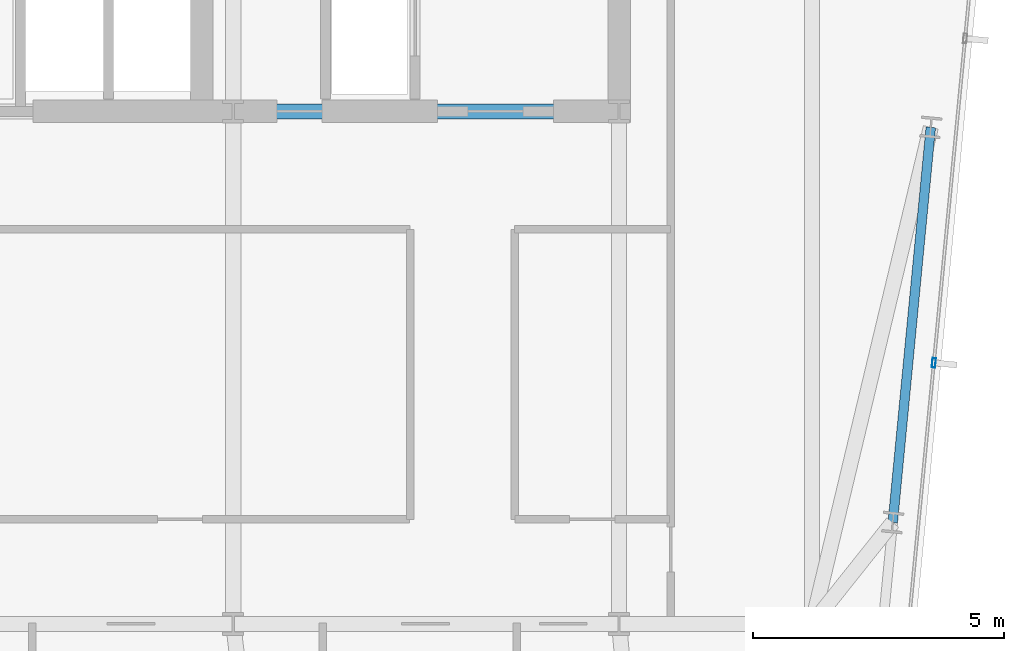
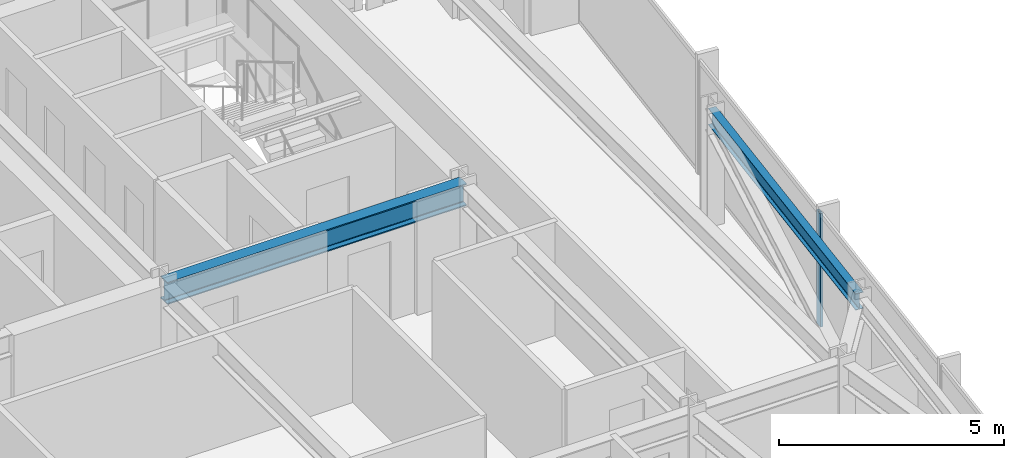
# One storey, part 18 of 38: 2 beams, 1 member, 1 element without a shape of its own.
"""IFC4 building model written with IfcOpenShell, lengths in metres."""

from ifc_helpers import new_model, si_unit, direction, frame, origin, origin_2d, place, context, subcontext, project, spatial, hollow_rectangle, i_section, extrude, material, material_profile, profile_set, type_object, element, aggregate, save


model = new_model("IFC4")

# Units and contexts
model_context = context("Model", 3, precision=1e-05, world=origin(), true_north=direction((0.0, 1.0)))
body_context = subcontext(model_context, "Body", "Model", "MODEL_VIEW")
ifc_project = project(units=[si_unit("LENGTHUNIT", "METRE"), si_unit("AREAUNIT", "SQUARE_METRE"), si_unit("VOLUMEUNIT", "CUBIC_METRE"), si_unit("PLANEANGLEUNIT", "RADIAN"), si_unit("MASSUNIT", "GRAM", prefix="KILO")], contexts=[model_context])

# Site, building, storey
site_placement = place(None, origin())
site = spatial("IfcSite", under=ifc_project, at=site_placement, CompositionType="ELEMENT")
building_placement = place(site_placement, origin())
building = spatial("IfcBuilding", under=site, at=building_placement, Name="Yelkora Congress Tower", CompositionType="ELEMENT")
storey_placement = place(building_placement, frame((0.0, 0.0, 155.60009765625)))
storey = spatial("IfcBuildingStorey", under=building, at=storey_placement, Name="L42", CompositionType="ELEMENT", Elevation=155.60009765625)

# Beams
ifc_material_1 = material(Name="Steel S355J2", Category="steel")
ifc_material_profile_1 = material_profile(ifc_material_1, i_section(OverallWidth=0.300048828125, OverallDepth=0.60009765625, WebThickness=0.015380859375, FlangeThickness=0.030029296875, FilletRadius=0.027099609375, at=origin_2d()), Name="HEB 600")
ifc_profile_set_1 = profile_set([ifc_material_profile_1], Name="Steel S355J2")
beam_type_1 = type_object("IfcBeamType", Name="BM-GIRD-HEB600", PredefinedType="BEAM", material=ifc_profile_set_1)
beam_1_placement = place(storey_placement, frame((46.080078125, 35.39990234375, 2.77978515625), z_axis=(1.0, 0.0, 0.0), x_axis=(0.0, 1.0, 0.0)))
element("IfcBeam", 1, at=beam_1_placement, inside=storey, type_object=beam_type_1, Name="L42 Core South Girder 4", PredefinedType="BEAM", context=body_context, shape_type="SweptSolid", body=[
    extrude(i_section(OverallWidth=0.300048828125, OverallDepth=0.60009765625, WebThickness=0.015380859375, FlangeThickness=0.030029296875, FilletRadius=0.027099609375, at=origin_2d()), origin(), (0.0, 0.0, 1.0), 7.679931640625),
])
ifc_material_profile_2 = material_profile(ifc_material_1, i_section(OverallWidth=0.18994140625, OverallDepth=0.449951171875, WebThickness=0.009521484375, FlangeThickness=0.0146484375, FilletRadius=0.02099609375, at=origin_2d()), Name="IPE 450")
ifc_profile_set_2 = profile_set([ifc_material_profile_2], Name="Steel S355J2")
beam_type_2 = type_object("IfcBeamType", Name="BM-SPAN-IPE450", PredefinedType="SPANDREL", material=ifc_profile_set_2)
beam_2_placement = place(storey_placement, frame((59.206298828125, 27.217529296875, 2.85498046875), z_axis=(0.095834301903, 0.99539730087, 0.0), x_axis=(-0.99539730087, 0.095834301903, 0.0)))
element("IfcBeam", 2, at=beam_2_placement, inside=storey, type_object=beam_type_2, Name="L42 Perimeter Beam 11", PredefinedType="SPANDREL", context=body_context, shape_type="SweptSolid", body=[
    extrude(i_section(OverallWidth=0.18994140625, OverallDepth=0.449951171875, WebThickness=0.009521484375, FlangeThickness=0.0146484375, FilletRadius=0.02099609375, at=origin_2d()), origin(), (0.0, 0.0, 1.0), 7.89990234375),
])

# Curtain wall, member
ifc_material_2 = material(Name="Anodised aluminium and insulated glass", Category="aluminium")
curtain_wall_type = type_object("IfcCurtainWallType", Name="CW-SYS-B3", PredefinedType="NOTDEFINED", material=ifc_material_2)
curtain_wall_placement = place(storey_placement, origin())
curtain_wall = element("IfcCurtainWall", 3, at=curtain_wall_placement, inside=storey, type_object=curtain_wall_type, Name="L42 Unitised Curtain Wall 15", PredefinedType="NOTDEFINED")
ifc_material_3 = material(Name="Anodised aluminium 6063-T6", Category="aluminium")
ifc_material_profile_3 = material_profile(ifc_material_3, hollow_rectangle(XDim=0.070068359375, YDim=0.18994140625, WallThickness=0.00390625, at=origin_2d()), Name="ALU 70x190x4")
ifc_profile_set_3 = profile_set([ifc_material_profile_3], Name="Anodised aluminium 6063-T6")
member_type = type_object("IfcMemberType", Name="MEM-ML-B3", PredefinedType="MULLION", material=ifc_profile_set_3)
member_placement = place(storey_placement, frame((60.024658203125, 30.395751953125, 0.0), z_axis=(0.0, 0.0, 1.0), x_axis=(0.995396565076, -0.095841944023, 0.0)))
member = element("IfcMember", 4, at=member_placement, type_object=member_type, Name="CW-B3 mullion 3", PredefinedType="MULLION", context=body_context, shape_type="SweptSolid", body=[
    extrude(hollow_rectangle(XDim=0.070068359375, YDim=0.18994140625, WallThickness=0.00390625, at=origin_2d()), origin(), (0.0, 0.0, 1.0), 3.079833984375),
])
aggregate(curtain_wall, [member])

save(model, "model.ifc")
